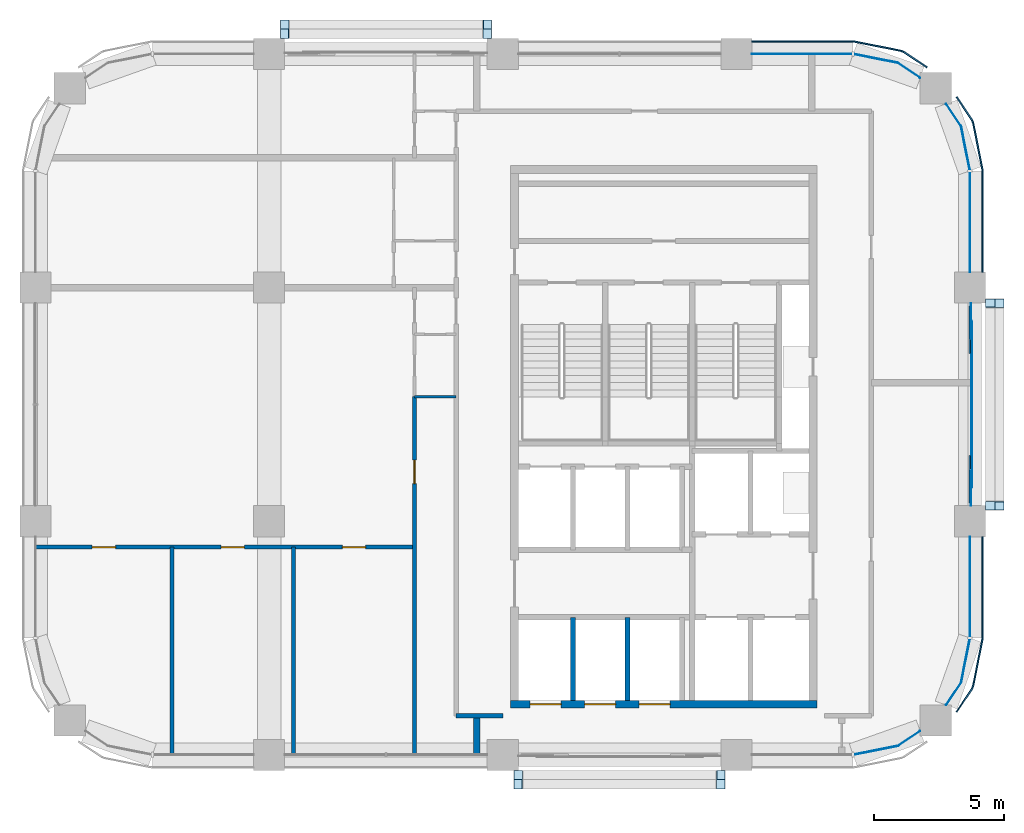
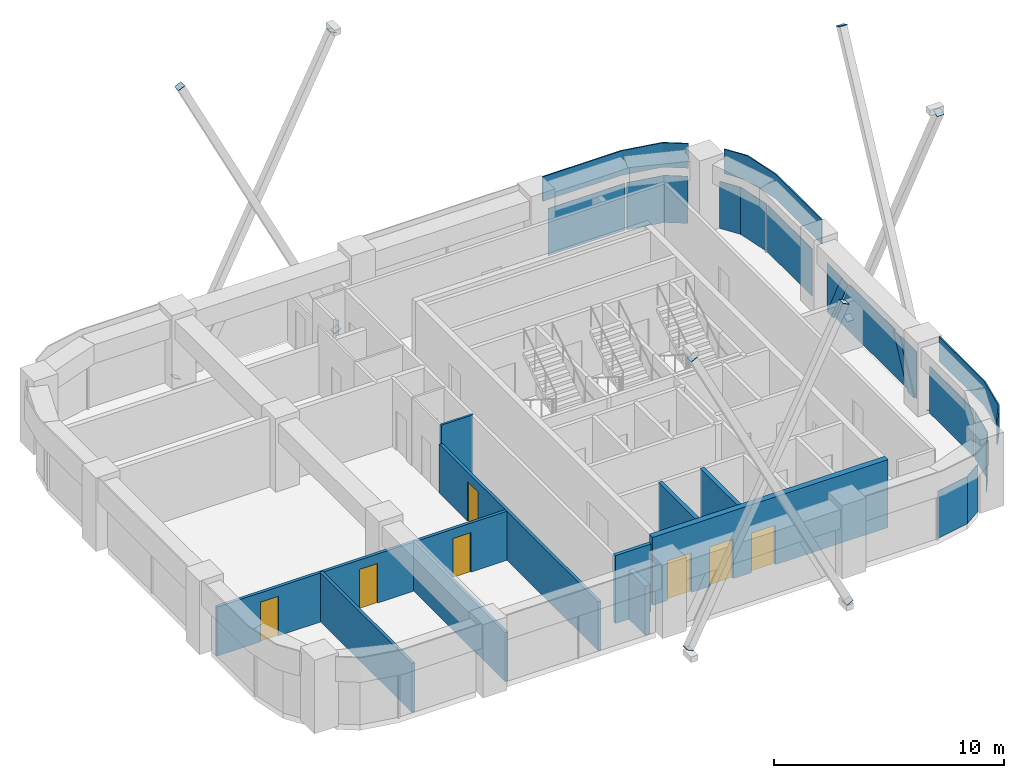
# One storey, part 6 of 10: 27 plates, 10 walls, 7 doors, 7 openings, 5 elements without a shape of their own.
"""IFC4 building model written with IfcOpenShell, lengths in metres."""

from ifc_helpers import new_model, si_unit, direction, frame, frame_2d, origin, origin_2d, place, context, subcontext, project, spatial, polyline, rectangle, outline, extrude, material, layer, layer_set, type_object, element, fill, aggregate, save


model = new_model("IFC4")

# Units and contexts
model_context = context("Model", 3, precision=1e-05, world=origin(), true_north=direction((0.0, 1.0)))
body_context = subcontext(model_context, "Body", "Model", "MODEL_VIEW")
ifc_project = project(units=[si_unit("LENGTHUNIT", "METRE"), si_unit("AREAUNIT", "SQUARE_METRE"), si_unit("VOLUMEUNIT", "CUBIC_METRE"), si_unit("PLANEANGLEUNIT", "RADIAN"), si_unit("MASSUNIT", "GRAM", prefix="KILO")], contexts=[model_context])

# Site, building, storey
site_placement = place(None, origin())
site = spatial("IfcSite", under=ifc_project, at=site_placement, CompositionType="ELEMENT")
building_placement = place(site_placement, origin())
building = spatial("IfcBuilding", under=site, at=building_placement, Name="Tessera Arch", CompositionType="ELEMENT")
storey_placement = place(building_placement, frame((0.0, 0.0, 301.199951171875)))
storey = spatial("IfcBuildingStorey", under=building, at=storey_placement, Name="L72", CompositionType="ELEMENT", Elevation=301.199951171875)

# Curtain wall, plates
ifc_material_1 = material(Name="CW2 curtain wall")
curtain_wall_type_1 = type_object("IfcCurtainWallType", Name="CW2 curtain wall", PredefinedType="NOTDEFINED", material=ifc_material_1)
curtain_wall_1_placement = place(storey_placement, origin())
curtain_wall_1 = element("IfcCurtainWall", 1, at=curtain_wall_1_placement, inside=storey, type_object=curtain_wall_type_1, Name="CW2 curtain wall E54.27/1 L72", PredefinedType="NOTDEFINED")
ifc_material_2 = material(Name="Clear low-e glass", Category="glass")
ifc_material_3 = material(Name="Clear low-e glass", Category="glass")
ifc_layer_1 = layer(ifc_material_3, 0.028076171875)
ifc_layer_set_1 = layer_set([ifc_layer_1], Name="CW2 glass panel")
plate_type_1 = type_object("IfcPlateType", Name="CW2 glass panel", PredefinedType="CURTAIN_PANEL", material=ifc_layer_set_1)
plate_1_placement = place(storey_placement, frame((54.0, 47.530029296875, 0.0), z_axis=(0.0, 0.0, 1.0), x_axis=(0.0, 1.0, 0.0)))
plate_1 = element("IfcPlate", 2, at=plate_1_placement, type_object=plate_type_1, material=ifc_material_2, Name="CW2 glass panel E54.27/1 1.1", PredefinedType="CURTAIN_PANEL", context=body_context, shape_type="SweptSolid", body=[
    extrude(rectangle(XDim=3.860107421875, YDim=0.028076171875, at=origin_2d()), origin(), (0.0, 0.0, 1.0), 2.5),
])
plate_2_placement = place(storey_placement, origin())
plate_2 = element("IfcPlate", 3, at=plate_2_placement, type_object=plate_type_1, material=ifc_material_2, Name="CW2 curved glass panel E54.27/1 2.1", PredefinedType="CURTAIN_PANEL", context=body_context, shape_type="SweptSolid", body=[
    extrude(outline(polyline([(53.644287109375, 51.216552734375), (53.978515625, 49.53662109375), (54.005859375, 49.5419921875), (53.670654296875, 51.2275390625), (53.094482421875, 52.08984375), (53.0712890625, 52.07421875), (53.644287109375, 51.216552734375)])), origin(), (0.0, 0.0, 1.0), 2.5),
])

curtain_wall_2_placement = place(storey_placement, origin())
curtain_wall_2 = element("IfcCurtainWall", 4, at=curtain_wall_2_placement, inside=storey, type_object=curtain_wall_type_1, Name="CW2 curtain wall N54.18/0 L72", PredefinedType="NOTDEFINED")
plate_3_placement = place(storey_placement, frame((47.530029296875, 54.0, 0.0), z_axis=(0.0, 0.0, 1.0), x_axis=(-1.0, 0.0, 0.0)))
plate_3 = element("IfcPlate", 5, at=plate_3_placement, type_object=plate_type_1, material=ifc_material_2, Name="CW2 glass panel N54.18/0 1.1", PredefinedType="CURTAIN_PANEL", context=body_context, shape_type="SweptSolid", body=[
    extrude(rectangle(XDim=3.860107421875, YDim=0.028076171875, at=origin_2d()), origin(), (0.0, 0.0, 1.0), 2.5),
])
plate_4_placement = place(storey_placement, origin())
plate_4 = element("IfcPlate", 6, at=plate_4_placement, type_object=plate_type_1, material=ifc_material_2, Name="CW2 curved glass panel N54.18/0 2.1", PredefinedType="CURTAIN_PANEL", context=body_context, shape_type="SweptSolid", body=[
    extrude(outline(polyline([(51.216552734375, 53.644287109375), (52.07421875, 53.0712890625), (52.08984375, 53.094482421875), (51.2275390625, 53.670654296875), (49.5419921875, 54.005859375), (49.53662109375, 53.978515625), (51.216552734375, 53.644287109375)])), origin(), (0.0, 0.0, 1.0), 2.5),
])

# Curtain wall, plate
curtain_wall_3_placement = place(storey_placement, origin())
curtain_wall_3 = element("IfcCurtainWall", 7, at=curtain_wall_3_placement, inside=storey, type_object=curtain_wall_type_1, Name="CW2 curtain wall S27.18/3 L72", PredefinedType="NOTDEFINED")
plate_5_placement = place(storey_placement, origin())
plate_5 = element("IfcPlate", 8, at=plate_5_placement, type_object=plate_type_1, material=ifc_material_2, Name="CW2 curved glass panel S27.18/3 2.1", PredefinedType="CURTAIN_PANEL", context=body_context, shape_type="SweptSolid", body=[
    extrude(outline(polyline([(51.216552734375, 27.355712890625), (49.53662109375, 27.021484375), (49.5419921875, 26.994140625), (51.2275390625, 27.329345703125), (52.08984375, 27.905517578125), (52.07421875, 27.9287109375), (51.216552734375, 27.355712890625)])), origin(), (0.0, 0.0, 1.0), 2.5),
])
aggregate(curtain_wall_3, [plate_5])

# Curtain wall, plates
curtain_wall_4_placement = place(storey_placement, origin())
curtain_wall_4 = element("IfcCurtainWall", 9, at=curtain_wall_4_placement, inside=storey, type_object=curtain_wall_type_1, Name="CW2 curtain wall E54.27/2 L72", PredefinedType="NOTDEFINED")
plate_6_placement = place(storey_placement, frame((54.0, 33.469970703125, 0.0), z_axis=(0.0, 0.0, 1.0), x_axis=(0.0, 1.0, 0.0)))
plate_6 = element("IfcPlate", 10, at=plate_6_placement, type_object=plate_type_1, material=ifc_material_2, Name="CW2 glass panel E54.27/2 1.1", PredefinedType="CURTAIN_PANEL", context=body_context, shape_type="SweptSolid", body=[
    extrude(rectangle(XDim=3.860107421875, YDim=0.028076171875, at=origin_2d()), origin(), (0.0, 0.0, 1.0), 2.5),
])
plate_7_placement = place(storey_placement, origin())
plate_7 = element("IfcPlate", 11, at=plate_7_placement, type_object=plate_type_1, material=ifc_material_2, Name="CW2 curved glass panel E54.27/2 2.1", PredefinedType="CURTAIN_PANEL", context=body_context, shape_type="SweptSolid", body=[
    extrude(outline(polyline([(53.644287109375, 29.783447265625), (53.0712890625, 28.92578125), (53.094482421875, 28.91015625), (53.670654296875, 29.7724609375), (54.005859375, 31.4580078125), (53.978515625, 31.46337890625), (53.644287109375, 29.783447265625)])), origin(), (0.0, 0.0, 1.0), 2.5),
])

# Plate
ifc_material_4 = material(Name="Pale anodised aluminium panel", Category="aluminium")
ifc_layer_2 = layer(ifc_material_4, 0.06005859375)
ifc_layer_set_2 = layer_set([ifc_layer_2], Name="CW2 spandrel panel")
plate_type_2 = type_object("IfcPlateType", Name="CW2 spandrel panel", PredefinedType="CURTAIN_PANEL", material=ifc_layer_set_2)
plate_8_placement = place(storey_placement, frame((0.0, 0.0, 2.60009765625)))
plate_8 = element("IfcPlate", 12, at=plate_8_placement, type_object=plate_type_2, Name="CW2 spandrel panel E54.27/1", PredefinedType="CURTAIN_PANEL", context=body_context, shape_type="SweptSolid", body=[
    extrude(outline(polyline([(54.449951171875, 49.499267578125), (54.449951171875, 45.60009765625), (54.510009765625, 45.60009765625), (54.510009765625, 49.500732421875), (54.507568359375, 49.550048828125), (54.500244140625, 49.598876953125), (54.157470703125, 51.322265625), (54.1455078125, 51.3701171875), (54.128662109375, 51.417236328125), (54.107421875, 51.462646484375), (54.08203125, 51.5048828125), (53.5068359375, 52.365234375), (53.45703125, 52.33203125), (54.03125, 51.47265625), (54.054443359375, 51.434326171875), (54.0732421875, 51.394287109375), (54.088134765625, 51.352783203125), (54.09912109375, 51.30908203125), (54.441162109375, 49.588623046875), (54.44775390625, 49.544189453125), (54.449951171875, 49.499267578125)])), origin(), (0.0, 0.0, 1.0), 1.300048828125),
])

aggregate(curtain_wall_1, [plate_1, plate_2, plate_8])

plate_9_placement = place(storey_placement, frame((0.0, 0.0, 2.60009765625)))
plate_9 = element("IfcPlate", 13, at=plate_9_placement, type_object=plate_type_2, Name="CW2 spandrel panel N54.18/0", PredefinedType="CURTAIN_PANEL", context=body_context, shape_type="SweptSolid", body=[
    extrude(outline(polyline([(51.47265625, 54.03125), (52.33203125, 53.45703125), (52.365234375, 53.5068359375), (51.5048828125, 54.08203125), (51.462646484375, 54.107421875), (51.417236328125, 54.128662109375), (51.3701171875, 54.1455078125), (51.322265625, 54.157470703125), (49.598876953125, 54.500244140625), (49.550048828125, 54.507568359375), (49.500732421875, 54.510009765625), (45.60009765625, 54.510009765625), (45.60009765625, 54.449951171875), (49.499267578125, 54.449951171875), (49.544189453125, 54.44775390625), (49.588623046875, 54.441162109375), (51.30908203125, 54.09912109375), (51.352783203125, 54.088134765625), (51.394287109375, 54.0732421875), (51.434326171875, 54.054443359375), (51.47265625, 54.03125)])), origin(), (0.0, 0.0, 1.0), 1.300048828125),
])

aggregate(curtain_wall_2, [plate_3, plate_4, plate_9])

plate_10_placement = place(storey_placement, frame((0.0, 0.0, 2.60009765625)))
plate_10 = element("IfcPlate", 14, at=plate_10_placement, type_object=plate_type_2, Name="CW2 spandrel panel E54.27/2", PredefinedType="CURTAIN_PANEL", context=body_context, shape_type="SweptSolid", body=[
    extrude(outline(polyline([(54.03125, 29.52734375), (53.45703125, 28.66796875), (53.5068359375, 28.634765625), (54.08203125, 29.4951171875), (54.107421875, 29.537353515625), (54.128662109375, 29.582763671875), (54.1455078125, 29.6298828125), (54.157470703125, 29.677734375), (54.500244140625, 31.401123046875), (54.507568359375, 31.449951171875), (54.510009765625, 31.499267578125), (54.510009765625, 35.39990234375), (54.449951171875, 35.39990234375), (54.449951171875, 31.500732421875), (54.44775390625, 31.455810546875), (54.441162109375, 31.411376953125), (54.09912109375, 29.69091796875), (54.088134765625, 29.647216796875), (54.0732421875, 29.605712890625), (54.054443359375, 29.565673828125), (54.03125, 29.52734375)])), origin(), (0.0, 0.0, 1.0), 1.300048828125),
])

aggregate(curtain_wall_4, [plate_6, plate_7, plate_10])

# Curtain wall, plates
ifc_material_5 = material(Name="CW3 curtain wall")
curtain_wall_type_2 = type_object("IfcCurtainWallType", Name="CW3 curtain wall", PredefinedType="NOTDEFINED", material=ifc_material_5)
curtain_wall_5_placement = place(storey_placement, origin())
curtain_wall_5 = element("IfcCurtainWall", 15, at=curtain_wall_5_placement, inside=storey, type_object=curtain_wall_type_2, Name="CW3 curtain wall E54.27/0 L72", PredefinedType="NOTDEFINED")
ifc_material_6 = material(Name="Pale anodised aluminium panel", Category="aluminium")
ifc_layer_3 = layer(ifc_material_6, 0.06005859375)
ifc_layer_set_3 = layer_set([ifc_layer_3], Name="CW3 diagonal panel")
plate_type_3 = type_object("IfcPlateType", Name="CW3 diagonal panel", PredefinedType="CURTAIN_PANEL", material=ifc_layer_set_3)
plate_11_placement = place(storey_placement, frame((54.030029296875, 43.0322265625, 2.5), z_axis=(1.0, 0.0, 0.0), x_axis=(0.0, -1.0, 0.0)))
plate_11 = element("IfcPlate", 16, at=plate_11_placement, type_object=plate_type_3, Name="CW3 diagonal panel E54.27/0 1", PredefinedType="CURTAIN_PANEL", context=body_context, shape_type="SweptSolid", body=[
    extrude(outline(polyline([(0.0, 0.0), (0.564453125, 0.0), (-0.685546875, 2.5), (-1.25, 2.5), (0.0, 0.0)])), origin(), (0.0, 0.0, -1.0), 0.06005859375),
])
plate_12_placement = place(storey_placement, frame((54.030029296875, 38.5322265625, 2.5), z_axis=(1.0, 0.0, 0.0), x_axis=(0.0, -1.0, 0.0)))
plate_12 = element("IfcPlate", 17, at=plate_12_placement, type_object=plate_type_3, Name="CW3 diagonal panel E54.27/0 2", PredefinedType="CURTAIN_PANEL", context=body_context, shape_type="SweptSolid", body=[
    extrude(outline(polyline([(0.0, 0.0), (0.564453125, 0.0), (1.814453125, 2.5), (1.25, 2.5), (0.0, 0.0)])), origin(), (0.0, 0.0, -1.0), 0.06005859375),
])
ifc_material_7 = material(Name="Clear low-e glass", Category="glass")
ifc_layer_4 = layer(ifc_material_7, 0.028076171875)
ifc_layer_set_4 = layer_set([ifc_layer_4], Name="CW3 glass panel")
plate_type_4 = type_object("IfcPlateType", Name="CW3 glass panel", PredefinedType="CURTAIN_PANEL", material=ifc_layer_set_4)
plate_13_placement = place(storey_placement, frame((54.05810546875, 36.60009765625, 0.0), z_axis=(1.0, 0.0, 0.0), x_axis=(0.0, 1.0, 0.0)))
plate_13 = element("IfcPlate", 18, at=plate_13_placement, type_object=plate_type_4, material=ifc_material_2, Name="CW3 triangulated glass panel E54.27/0 1", PredefinedType="CURTAIN_PANEL", context=body_context, shape_type="SweptSolid", body=[
    extrude(outline(polyline([(0.0, 0.0), (0.11767578125, 0.0), (1.36767578125, 2.5), (0.0, 2.5), (0.0, 0.0)])), origin(), (0.0, 0.0, -1.0), 0.028076171875),
])
plate_14_placement = place(storey_placement, frame((54.0859375, 42.4677734375, 2.5), z_axis=(1.0, 0.0, 0.0), x_axis=(0.0, -1.0, 0.0)))
plate_14 = element("IfcPlate", 19, at=plate_14_placement, type_object=plate_type_4, material=ifc_material_2, Name="CW3 triangulated glass panel E54.27/0 2", PredefinedType="CURTAIN_PANEL", context=body_context, shape_type="SweptSolid", body=[
    extrude(outline(polyline([(0.0, 0.0), (3.935546875, 0.0), (5.185546875, 2.5), (-1.25, 2.5), (0.0, 0.0)])), origin(), (0.0, 0.0, -1.0), 0.028076171875),
])
plate_15_placement = place(storey_placement, frame((54.05810546875, 44.39990234375, 2.5), z_axis=(1.0, 0.0, 0.0), x_axis=(0.0, -1.0, 0.0)))
plate_15 = element("IfcPlate", 20, at=plate_15_placement, type_object=plate_type_4, material=ifc_material_2, Name="CW3 triangulated glass panel E54.27/0 3", PredefinedType="CURTAIN_PANEL", context=body_context, shape_type="SweptSolid", body=[
    extrude(outline(polyline([(0.0, 0.0), (1.36767578125, 0.0), (0.11767578125, 2.5), (0.0, 2.5), (0.0, 0.0)])), origin(), (0.0, 0.0, -1.0), 0.028076171875),
])
aggregate(curtain_wall_5, [plate_13, plate_14, plate_15, plate_11, plate_12])

# Plates
ifc_material_8 = material(Name="Steel A572 Gr50", Category="steel")
ifc_layer_5 = layer(ifc_material_8, 0.02490234375)
ifc_layer_set_5 = layer_set([ifc_layer_5], Name="End plate HSS14x14x1/2")
plate_type_5 = type_object("IfcPlateType", Name="End plate HSS14x14x1/2", PredefinedType="SHEET", material=ifc_layer_set_5)
plate_16_placement = place(storey_placement, frame((54.77783203125, 36.5888671875, -0.822265625), z_axis=(0.0, 0.451132182653, 0.892457143943), x_axis=(-1.0, 0.0, 0.0)))
element("IfcPlate", 21, at=plate_16_placement, inside=storey, type_object=plate_type_5, Name="End plate HSS14x14x1/2 E54.27-0 A1 L72", PredefinedType="SHEET", context=body_context, shape_type="SweptSolid", body=[
    extrude(rectangle(XDim=0.355712890625, YDim=0.355712890625, at=origin_2d()), origin(), (0.0, 0.0, 1.0), 0.02490234375),
])
plate_17_placement = place(storey_placement, frame((54.77783203125, 44.39990234375, 14.800048828125), z_axis=(0.0, 0.4472135955, 0.894427191), x_axis=(-1.0, 0.0, 0.0)))
element("IfcPlate", 22, at=plate_17_placement, inside=storey, type_object=plate_type_5, Name="End plate HSS14x14x1/2 E54.27-0 A2 L72", PredefinedType="SHEET", context=body_context, shape_type="SweptSolid", body=[
    extrude(rectangle(XDim=0.355712890625, YDim=0.355712890625, at=origin_2d()), origin(), (0.0, 0.0, 1.0), 0.025146484375),
])
plate_18_placement = place(storey_placement, frame((55.13330078125, 44.4111328125, -0.822265625), z_axis=(0.0, -0.451132182653, 0.892457143943), x_axis=(1.0, 0.0, 0.0)))
element("IfcPlate", 23, at=plate_18_placement, inside=storey, type_object=plate_type_5, Name="End plate HSS14x14x1/2 E54.27-0 B1 L72", PredefinedType="SHEET", context=body_context, shape_type="SweptSolid", body=[
    extrude(rectangle(XDim=0.355712890625, YDim=0.355712890625, at=origin_2d()), origin(), (0.0, 0.0, 1.0), 0.02490234375),
])
plate_19_placement = place(storey_placement, frame((55.13330078125, 36.60009765625, 14.800048828125), z_axis=(0.0, -0.4472135955, 0.894427191), x_axis=(1.0, 0.0, 0.0)))
element("IfcPlate", 24, at=plate_19_placement, inside=storey, type_object=plate_type_5, Name="End plate HSS14x14x1/2 E54.27-0 B2 L72", PredefinedType="SHEET", context=body_context, shape_type="SweptSolid", body=[
    extrude(rectangle(XDim=0.355712890625, YDim=0.355712890625, at=origin_2d()), origin(), (0.0, 0.0, 1.0), 0.025146484375),
])
plate_20_placement = place(storey_placement, frame((35.4111328125, 54.77783203125, -0.822265625), z_axis=(-0.451132182653, 0.0, 0.892457143943), x_axis=(0.0, -1.0, 0.0)))
element("IfcPlate", 25, at=plate_20_placement, inside=storey, type_object=plate_type_5, Name="End plate HSS14x14x1/2 N54.18-2 A1 L72", PredefinedType="SHEET", context=body_context, shape_type="SweptSolid", body=[
    extrude(rectangle(XDim=0.355712890625, YDim=0.355712890625, at=origin_2d()), origin(), (0.0, 0.0, 1.0), 0.02490234375),
])
plate_21_placement = place(storey_placement, frame((27.60009765625, 54.77783203125, 14.800048828125), z_axis=(-0.4472135955, 0.0, 0.894427191), x_axis=(0.0, -1.0, 0.0)))
element("IfcPlate", 26, at=plate_21_placement, inside=storey, type_object=plate_type_5, Name="End plate HSS14x14x1/2 N54.18-2 A2 L72", PredefinedType="SHEET", context=body_context, shape_type="SweptSolid", body=[
    extrude(rectangle(XDim=0.355712890625, YDim=0.355712890625, at=origin_2d()), origin(), (0.0, 0.0, 1.0), 0.025146484375),
])
plate_22_placement = place(storey_placement, frame((27.5888671875, 55.13330078125, -0.822265625), z_axis=(0.451132182653, 0.0, 0.892457143943), x_axis=(0.0, 1.0, 0.0)))
element("IfcPlate", 27, at=plate_22_placement, inside=storey, type_object=plate_type_5, Name="End plate HSS14x14x1/2 N54.18-2 B1 L72", PredefinedType="SHEET", context=body_context, shape_type="SweptSolid", body=[
    extrude(rectangle(XDim=0.355712890625, YDim=0.355712890625, at=origin_2d()), origin(), (0.0, 0.0, 1.0), 0.02490234375),
])
plate_23_placement = place(storey_placement, frame((35.39990234375, 55.13330078125, 14.800048828125), z_axis=(0.4472135955, 0.0, 0.894427191), x_axis=(0.0, 1.0, 0.0)))
element("IfcPlate", 28, at=plate_23_placement, inside=storey, type_object=plate_type_5, Name="End plate HSS14x14x1/2 N54.18-2 B2 L72", PredefinedType="SHEET", context=body_context, shape_type="SweptSolid", body=[
    extrude(rectangle(XDim=0.355712890625, YDim=0.355712890625, at=origin_2d()), origin(), (0.0, 0.0, 1.0), 0.025146484375),
])
plate_24_placement = place(storey_placement, frame((36.5888671875, 26.22216796875, -0.822265625), z_axis=(0.451132182653, 0.0, 0.892457143943), x_axis=(0.0, 1.0, 0.0)))
element("IfcPlate", 29, at=plate_24_placement, inside=storey, type_object=plate_type_5, Name="End plate HSS14x14x1/2 S27.18-2 A1 L72", PredefinedType="SHEET", context=body_context, shape_type="SweptSolid", body=[
    extrude(rectangle(XDim=0.355712890625, YDim=0.355712890625, at=origin_2d()), origin(), (0.0, 0.0, 1.0), 0.02490234375),
])
plate_25_placement = place(storey_placement, frame((44.39990234375, 26.22216796875, 14.800048828125), z_axis=(0.4472135955, 0.0, 0.894427191), x_axis=(0.0, 1.0, 0.0)))
element("IfcPlate", 30, at=plate_25_placement, inside=storey, type_object=plate_type_5, Name="End plate HSS14x14x1/2 S27.18-2 A2 L72", PredefinedType="SHEET", context=body_context, shape_type="SweptSolid", body=[
    extrude(rectangle(XDim=0.355712890625, YDim=0.355712890625, at=origin_2d()), origin(), (0.0, 0.0, 1.0), 0.025146484375),
])
plate_26_placement = place(storey_placement, frame((44.4111328125, 25.86669921875, -0.822265625), z_axis=(-0.451132182653, 0.0, 0.892457143943), x_axis=(0.0, -1.0, 0.0)))
element("IfcPlate", 31, at=plate_26_placement, inside=storey, type_object=plate_type_5, Name="End plate HSS14x14x1/2 S27.18-2 B1 L72", PredefinedType="SHEET", context=body_context, shape_type="SweptSolid", body=[
    extrude(rectangle(XDim=0.355712890625, YDim=0.355712890625, at=origin_2d()), origin(), (0.0, 0.0, 1.0), 0.02490234375),
])
plate_27_placement = place(storey_placement, frame((36.60009765625, 25.86669921875, 14.800048828125), z_axis=(-0.4472135955, 0.0, 0.894427191), x_axis=(0.0, -1.0, 0.0)))
element("IfcPlate", 32, at=plate_27_placement, inside=storey, type_object=plate_type_5, Name="End plate HSS14x14x1/2 S27.18-2 B2 L72", PredefinedType="SHEET", context=body_context, shape_type="SweptSolid", body=[
    extrude(rectangle(XDim=0.355712890625, YDim=0.355712890625, at=origin_2d()), origin(), (0.0, 0.0, 1.0), 0.025146484375),
])

# Wall, openings, doors
ifc_material_9 = material(Name="Concrete C50/60", Category="concrete")
ifc_layer_6 = layer(ifc_material_9, 0.300048828125)
ifc_layer_set_6 = layer_set([ifc_layer_6], Name="Core shell wall 300 C50-60")
wall_type_1 = type_object("IfcWallType", Name="Core shell wall 300 C50-60", PredefinedType="SHEAR", material=ifc_layer_set_6)
wall_1_placement = place(storey_placement, frame((36.300048828125, 28.949951171875, 0.0), z_axis=(0.0, 0.0, 1.0), x_axis=(1.0, 0.0, 0.0)))
wall_1 = element("IfcWall", 33, at=wall_1_placement, inside=storey, type_object=wall_type_1, Name="L72 C1 core wall S", PredefinedType="SHEAR", context=body_context, shape_type="SweptSolid", body=[
    extrude(rectangle(XDim=11.800048828125, YDim=0.300048828125, at=frame_2d((5.89990234375, 0.0))), origin(), (0.0, 0.0, 1.0), 3.60009765625),
])
opening_1_placement = place(wall_1_placement, frame((0.75, 0.0, 0.0)))
opening_1 = element("IfcOpeningElement", 34, at=opening_1_placement, cuts=wall_1, Name="Opening L72-C01", PredefinedType="OPENING", context=body_context, shape_type="SweptSolid", body=[
    extrude(rectangle(XDim=1.199951171875, YDim=2.10009765625, at=frame_2d((0.60009765625, 1.050048828125))), frame((0.0, 0.159912109375, 0.0), z_axis=(0.0, -1.0, 0.0), x_axis=(1.0, 0.0, 0.0)), (0.0, 0.0, 1.0), 0.320068359375),
])
opening_2_placement = place(wall_1_placement, frame((2.85009765625, 0.0, 0.0)))
opening_2 = element("IfcOpeningElement", 35, at=opening_2_placement, cuts=wall_1, Name="Opening L72-C03", PredefinedType="OPENING", context=body_context, shape_type="SweptSolid", body=[
    extrude(rectangle(XDim=1.199951171875, YDim=2.10009765625, at=frame_2d((0.60009765625, 1.050048828125))), frame((0.0, 0.159912109375, 0.0), z_axis=(0.0, -1.0, 0.0), x_axis=(1.0, 0.0, 0.0)), (0.0, 0.0, 1.0), 0.320068359375),
])
opening_3_placement = place(wall_1_placement, frame((4.949951171875, 0.0, 0.0)))
opening_3 = element("IfcOpeningElement", 36, at=opening_3_placement, cuts=wall_1, Name="Opening L72-C05", PredefinedType="OPENING", context=body_context, shape_type="SweptSolid", body=[
    extrude(rectangle(XDim=1.199951171875, YDim=2.10009765625, at=frame_2d((0.60009765625, 1.050048828125))), frame((0.0, 0.159912109375, 0.0), z_axis=(0.0, -1.0, 0.0), x_axis=(1.0, 0.0, 0.0)), (0.0, 0.0, 1.0), 0.320068359375),
])
ifc_material_10 = material(Name="Stainless steel AISI 304", Category="steel")
door_type_1 = type_object("IfcDoorType", Name="Sliding landing door 1200 x 2100", OperationType="SLIDING_TO_LEFT", PredefinedType="DOOR", material=ifc_material_10)
door_1_placement = place(opening_1_placement, origin())
door_1 = element("IfcDoor", 37, at=door_1_placement, inside=storey, type_object=door_type_1, Name="L72 HR1 lift landing door C01 type LD", OperationType="SLIDING_TO_LEFT", OverallHeight=2.10009765625, OverallWidth=1.199951171875, PredefinedType="DOOR", context=body_context, shape_type="SweptSolid", body=[
    extrude(rectangle(XDim=1.199951171875, YDim=2.10009765625, at=frame_2d((0.60009765625, 1.050048828125))), frame((0.0, 0.02490234375, 0.0), z_axis=(0.0, -1.0, 0.0), x_axis=(1.0, 0.0, 0.0)), (0.0, 0.0, 1.0), 0.050048828125),
])
fill(opening_1, door_1)
door_2_placement = place(opening_2_placement, origin())
door_2 = element("IfcDoor", 38, at=door_2_placement, inside=storey, type_object=door_type_1, Name="L72 HR2 lift landing door C03 type LD", OperationType="SLIDING_TO_LEFT", OverallHeight=2.10009765625, OverallWidth=1.199951171875, PredefinedType="DOOR", context=body_context, shape_type="SweptSolid", body=[
    extrude(rectangle(XDim=1.199951171875, YDim=2.10009765625, at=frame_2d((0.60009765625, 1.050048828125))), frame((0.0, 0.02490234375, 0.0), z_axis=(0.0, -1.0, 0.0), x_axis=(1.0, 0.0, 0.0)), (0.0, 0.0, 1.0), 0.050048828125),
])
fill(opening_2, door_2)
door_3_placement = place(opening_3_placement, origin())
door_3 = element("IfcDoor", 39, at=door_3_placement, inside=storey, type_object=door_type_1, Name="L72 HR3 lift landing door C05 type LD", OperationType="SLIDING_TO_LEFT", OverallHeight=2.10009765625, OverallWidth=1.199951171875, PredefinedType="DOOR", context=body_context, shape_type="SweptSolid", body=[
    extrude(rectangle(XDim=1.199951171875, YDim=2.10009765625, at=frame_2d((0.60009765625, 1.050048828125))), frame((0.0, 0.02490234375, 0.0), z_axis=(0.0, -1.0, 0.0), x_axis=(1.0, 0.0, 0.0)), (0.0, 0.0, 1.0), 0.050048828125),
])
fill(opening_3, door_3)

# Wall
ifc_material_11 = material(Name="Gypsum board on deep steel stud with mineral wool", Category="steel")
ifc_layer_7 = layer(ifc_material_11, 0.175048828125)
ifc_layer_set_7 = layer_set([ifc_layer_7], Name="Corridor wall 175 EI 60")
wall_type_2 = type_object("IfcWallType", Name="Corridor wall 175 EI 60", PredefinedType="PARTITIONING", material=ifc_layer_set_7)
wall_2_placement = place(storey_placement, frame((34.199951171875, 28.5, 0.0), z_axis=(0.0, 0.0, 1.0), x_axis=(1.0, 0.0, 0.0)))
element("IfcWall", 40, at=wall_2_placement, inside=storey, type_object=wall_type_2, Name="L72 partition 1", PredefinedType="PARTITIONING", context=body_context, shape_type="SweptSolid", body=[
    extrude(rectangle(XDim=1.800048828125, YDim=0.175048828125, at=frame_2d((0.89990234375, 0.0))), origin(), (0.0, 0.0, 1.0), 3.60009765625),
])

# Wall, openings, doors
ifc_material_12 = material(Name="Gypsum board on steel stud", Category="steel")
ifc_layer_8 = layer(ifc_material_12, 0.14990234375)
ifc_layer_set_8 = layer_set([ifc_layer_8], Name="Partition 150")
wall_type_3 = type_object("IfcWallType", Name="Partition 150", PredefinedType="PARTITIONING", material=ifc_layer_set_8)
wall_3_placement = place(storey_placement, frame((18.0, 35.0, 0.0), z_axis=(0.0, 0.0, 1.0), x_axis=(1.0, 0.0, 0.0)))
wall_3 = element("IfcWall", 41, at=wall_3_placement, inside=storey, type_object=wall_type_3, Name="L72 partition 6", PredefinedType="PARTITIONING", context=body_context, shape_type="SweptSolid", body=[
    extrude(rectangle(XDim=14.60009765625, YDim=0.14990234375, at=frame_2d((7.300048828125, 0.0))), origin(), (0.0, 0.0, 1.0), 2.60009765625),
])
opening_4_placement = place(wall_3_placement, frame((11.815673828125, 0.0, 0.0)))
opening_4 = element("IfcOpeningElement", 42, at=opening_4_placement, cuts=wall_3, Name="Opening L72-D007", PredefinedType="OPENING", context=body_context, shape_type="SweptSolid", body=[
    extrude(rectangle(XDim=0.89990234375, YDim=2.10009765625, at=frame_2d((0.449951171875, 1.050048828125))), frame((0.0, 0.0849609375, 0.0), z_axis=(0.0, -1.0, 0.0), x_axis=(1.0, 0.0, 0.0)), (0.0, 0.0, 1.0), 0.169921875),
])
opening_5_placement = place(wall_3_placement, frame((7.14697265625, 0.0, 0.0)))
opening_5 = element("IfcOpeningElement", 43, at=opening_5_placement, cuts=wall_3, Name="Opening L72-D008", PredefinedType="OPENING", context=body_context, shape_type="SweptSolid", body=[
    extrude(rectangle(XDim=0.89990234375, YDim=2.10009765625, at=frame_2d((0.449951171875, 1.050048828125))), frame((0.0, 0.0849609375, 0.0), z_axis=(0.0, -1.0, 0.0), x_axis=(1.0, 0.0, 0.0)), (0.0, 0.0, 1.0), 0.169921875),
])
opening_6_placement = place(wall_3_placement, frame((2.181396484375, 0.0, 0.0)))
opening_6 = element("IfcOpeningElement", 44, at=opening_6_placement, cuts=wall_3, Name="Opening L72-D009", PredefinedType="OPENING", context=body_context, shape_type="SweptSolid", body=[
    extrude(rectangle(XDim=0.89990234375, YDim=2.10009765625, at=frame_2d((0.449951171875, 1.050048828125))), frame((0.0, 0.0849609375, 0.0), z_axis=(0.0, -1.0, 0.0), x_axis=(1.0, 0.0, 0.0)), (0.0, 0.0, 1.0), 0.169921875),
])
ifc_material_13 = material(Name="Timber door leaf", Category="wood")
door_type_2 = type_object("IfcDoorType", Name="Room door 900 x 2100", OperationType="SINGLE_SWING_LEFT", PredefinedType="DOOR", material=ifc_material_13)
door_4_placement = place(opening_4_placement, origin())
door_4 = element("IfcDoor", 45, at=door_4_placement, inside=storey, type_object=door_type_2, Name="L72 door D007 type D01", OperationType="SINGLE_SWING_RIGHT", OverallHeight=2.10009765625, OverallWidth=0.89990234375, PredefinedType="DOOR", context=body_context, shape_type="SweptSolid", body=[
    extrude(rectangle(XDim=0.89990234375, YDim=2.10009765625, at=frame_2d((0.449951171875, 1.050048828125))), frame((0.0, 0.02490234375, 0.0), z_axis=(0.0, -1.0, 0.0), x_axis=(1.0, 0.0, 0.0)), (0.0, 0.0, 1.0), 0.050048828125),
])
fill(opening_4, door_4)
door_5_placement = place(opening_5_placement, origin())
door_5 = element("IfcDoor", 46, at=door_5_placement, inside=storey, type_object=door_type_2, Name="L72 door D008 type D01", OperationType="SINGLE_SWING_RIGHT", OverallHeight=2.10009765625, OverallWidth=0.89990234375, PredefinedType="DOOR", context=body_context, shape_type="SweptSolid", body=[
    extrude(rectangle(XDim=0.89990234375, YDim=2.10009765625, at=frame_2d((0.449951171875, 1.050048828125))), frame((0.0, 0.02490234375, 0.0), z_axis=(0.0, -1.0, 0.0), x_axis=(1.0, 0.0, 0.0)), (0.0, 0.0, 1.0), 0.050048828125),
])
fill(opening_5, door_5)
door_6_placement = place(opening_6_placement, origin())
door_6 = element("IfcDoor", 47, at=door_6_placement, inside=storey, type_object=door_type_2, Name="L72 door D009 type D01", OperationType="SINGLE_SWING_RIGHT", OverallHeight=2.10009765625, OverallWidth=0.89990234375, PredefinedType="DOOR", context=body_context, shape_type="SweptSolid", body=[
    extrude(rectangle(XDim=0.89990234375, YDim=2.10009765625, at=frame_2d((0.449951171875, 1.050048828125))), frame((0.0, 0.02490234375, 0.0), z_axis=(0.0, -1.0, 0.0), x_axis=(1.0, 0.0, 0.0)), (0.0, 0.0, 1.0), 0.050048828125),
])
fill(opening_6, door_6)

# Walls
for number, where, z_axis, x_axis, name in (
    (48, (23.262939453125, 27.0, 0.0), (0.0, 0.0, 1.0), (0.0, 1.0, 0.0), "L72 partition 7"),
    (49, (27.930908203125, 27.0, 0.0), (0.0, 0.0, 1.0), (0.0, 1.0, 0.0), "L72 partition 8"),
):
    element("IfcWall", number, at=place(storey_placement, frame(where, z_axis=z_axis, x_axis=x_axis)), inside=storey, type_object=wall_type_3, Name=name, PredefinedType="PARTITIONING", context=body_context, shape_type="SweptSolid", body=[
        extrude(rectangle(XDim=8.0, YDim=0.14990234375, at=frame_2d((4.0, 0.0))), origin(), (0.0, 0.0, 1.0), 2.60009765625),
    ])

# Wall, opening, door
wall_4_placement = place(storey_placement, frame((32.60009765625, 27.0, 0.0), z_axis=(0.0, 0.0, 1.0), x_axis=(0.0, 1.0, 0.0)))
wall_4 = element("IfcWall", 50, at=wall_4_placement, inside=storey, type_object=wall_type_3, Name="L72 partition 10", PredefinedType="PARTITIONING", context=body_context, shape_type="SweptSolid", body=[
    extrude(rectangle(XDim=13.800048828125, YDim=0.14990234375, at=frame_2d((6.89990234375, 0.0))), origin(), (0.0, 0.0, 1.0), 2.60009765625),
])
opening_7_placement = place(wall_4_placement, frame((10.449951171875, 0.0, 0.0)))
opening_7 = element("IfcOpeningElement", 51, at=opening_7_placement, cuts=wall_4, Name="Opening L72-D006", PredefinedType="OPENING", context=body_context, shape_type="SweptSolid", body=[
    extrude(rectangle(XDim=0.89990234375, YDim=2.10009765625, at=frame_2d((0.449951171875, 1.050048828125))), frame((0.0, 0.0849609375, 0.0), z_axis=(0.0, -1.0, 0.0), x_axis=(1.0, 0.0, 0.0)), (0.0, 0.0, 1.0), 0.169921875),
])
door_7_placement = place(opening_7_placement, origin())
door_7 = element("IfcDoor", 52, at=door_7_placement, inside=storey, type_object=door_type_2, Name="L72 door D006 type D01", OperationType="SINGLE_SWING_RIGHT", OverallHeight=2.10009765625, OverallWidth=0.89990234375, PredefinedType="DOOR", context=body_context, shape_type="SweptSolid", body=[
    extrude(rectangle(XDim=0.89990234375, YDim=2.10009765625, at=frame_2d((0.449951171875, 1.050048828125))), frame((0.0, 0.02490234375, 0.0), z_axis=(0.0, -1.0, 0.0), x_axis=(1.0, 0.0, 0.0)), (0.0, 0.0, 1.0), 0.050048828125),
])
fill(opening_7, door_7)

# Walls
ifc_material_14 = material(Name="Double gypsum board on twin steel stud with acoustic mineral wool", Category="steel")
ifc_layer_9 = layer(ifc_material_14, 0.25)
ifc_layer_set_9 = layer_set([ifc_layer_9], Name="Party wall 250 EI 60")
wall_type_4 = type_object("IfcWallType", Name="Party wall 250 EI 60", PredefinedType="PARTITIONING", material=ifc_layer_set_9)
wall_5_placement = place(storey_placement, frame((35.0, 27.0, 0.0), z_axis=(0.0, 0.0, 1.0), x_axis=(0.0, 1.0, 0.0)))
element("IfcWall", 53, at=wall_5_placement, inside=storey, type_object=wall_type_4, Name="L72 partition 16", PredefinedType="PARTITIONING", context=body_context, shape_type="SweptSolid", body=[
    extrude(rectangle(XDim=1.5, YDim=0.25, at=frame_2d((0.75, 0.0))), origin(), (0.0, 0.0, 1.0), 2.60009765625),
])
ifc_material_15 = material(Name="Concrete C40/50", Category="concrete")
ifc_layer_10 = layer(ifc_material_15, 0.199951171875)
ifc_layer_set_10 = layer_set([ifc_layer_10], Name="Shaft wall 200 EI 120")
wall_type_5 = type_object("IfcWallType", Name="Shaft wall 200 EI 120", PredefinedType="SOLIDWALL", material=ifc_layer_set_10)
for number, where, z_axis, x_axis, name in (
    (54, (38.699951171875, 29.10009765625, 0.0), (0.0, 0.0, 1.0), (0.0, 1.0, 0.0), "L72 C1 shaft wall 1"),
    (55, (40.800048828125, 29.10009765625, 0.0), (0.0, 0.0, 1.0), (0.0, 1.0, 0.0), "L72 C1 shaft wall 5"),
):
    element("IfcWall", number, at=place(storey_placement, frame(where, z_axis=z_axis, x_axis=x_axis)), inside=storey, type_object=wall_type_5, Name=name, PredefinedType="SOLIDWALL", context=body_context, shape_type="SweptSolid", body=[
        extrude(rectangle(XDim=3.199951171875, YDim=0.199951171875, at=frame_2d((1.60009765625, 0.0))), origin(), (0.0, 0.0, 1.0), 3.60009765625),
    ])
ifc_material_16 = material(Name="Moisture-resistant board on pre-plumbed steel stud", Category="steel")
ifc_layer_11 = layer(ifc_material_16, 0.10009765625)
ifc_layer_set_11 = layer_set([ifc_layer_11], Name="Wet wall 100")
wall_type_6 = type_object("IfcWallType", Name="Wet wall 100", PredefinedType="PARTITIONING", material=ifc_layer_set_11)
wall_6_placement = place(storey_placement, frame((32.60009765625, 40.800048828125, 0.0), z_axis=(0.0, 0.0, 1.0), x_axis=(1.0, 0.0, 0.0)))
element("IfcWall", 56, at=wall_6_placement, inside=storey, type_object=wall_type_6, Name="L72 partition 20", PredefinedType="PARTITIONING", context=body_context, shape_type="SweptSolid", body=[
    extrude(rectangle(XDim=1.599853515625, YDim=0.10009765625, at=frame_2d((0.7998046875, 0.0))), origin(), (0.0, 0.0, 1.0), 3.60009765625),
])

save(model, "model.ifc")
